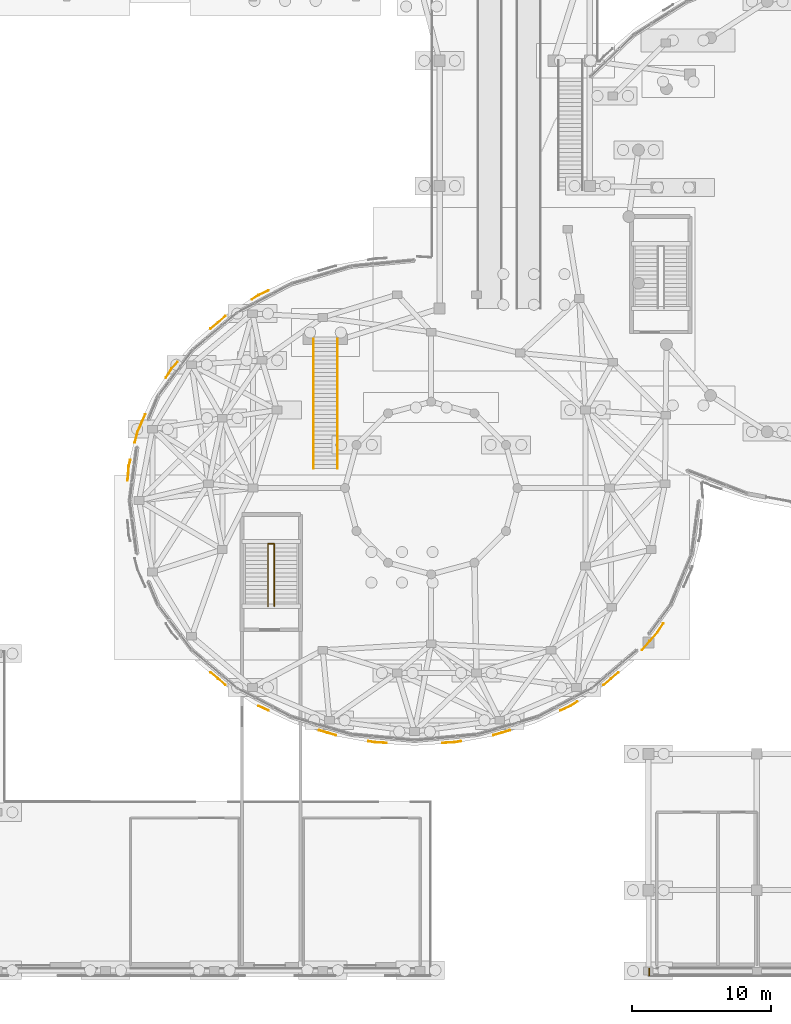
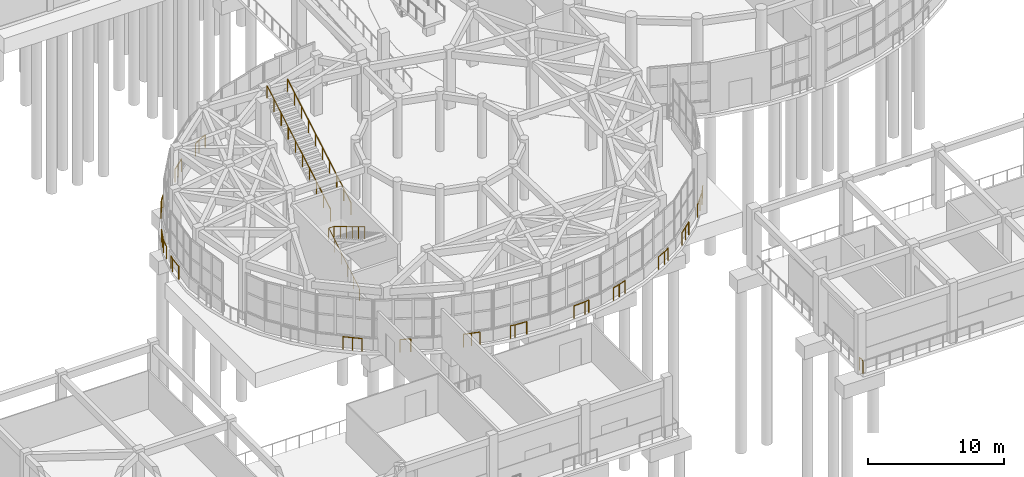
# One storey, part 83 of 96: 18 railings.
"""IFC4 building model written with IfcOpenShell, lengths in metres."""

from ifc_helpers import new_model, si_unit, direction, frame, origin, origin_2d, place, context, subcontext, project, spatial, circle, extrude, material, type_object, element, save


model = new_model("IFC4")

# Units and contexts
model_context = context("Model", 3, precision=1e-05, world=origin(), true_north=direction((0.0, 1.0)))
body_context = subcontext(model_context, "Body", "Model", "MODEL_VIEW")
ifc_project = project(units=[si_unit("LENGTHUNIT", "METRE"), si_unit("AREAUNIT", "SQUARE_METRE"), si_unit("VOLUMEUNIT", "CUBIC_METRE"), si_unit("PLANEANGLEUNIT", "RADIAN"), si_unit("MASSUNIT", "GRAM", prefix="KILO")], contexts=[model_context])

# Site, building, storey
site_placement = place(None, origin())
site = spatial("IfcSite", under=ifc_project, at=site_placement, CompositionType="ELEMENT")
building_placement = place(site_placement, origin())
building = spatial("IfcBuilding", under=site, at=building_placement, Name="Pelvatis Terrace Science Centre", CompositionType="ELEMENT")
storey_placement = place(building_placement, origin())
storey = spatial("IfcBuildingStorey", under=building, at=storey_placement, Name="L00", CompositionType="ELEMENT", Elevation=0.0)

# Railings
ifc_material_1 = material(Name="Bronze-anodised aluminium and laminated safety glass balustrade", Category="aluminium")
railing_type_1 = type_object("IfcRailingType", Name="RLG-BAL-1150", PredefinedType="BALUSTRADE", material=ifc_material_1)
railing_1_placement = place(storey_placement, frame((62.4599609375, 0.06005859375, 0.0)))
element("IfcRailing", 1, at=railing_1_placement, inside=storey, type_object=railing_type_1, Name="Perimeter edge balustrade RLG-EDG-L00-001", PredefinedType="BALUSTRADE", context=body_context, shape_type="SweptSolid", body=[
    extrude(circle(Radius=0.02392578125, at=origin_2d()), frame((0.0, 0.0, 1.1259765625), z_axis=(0.0, 1.0, 0.0), x_axis=(-1.0, 0.0, 0.0)), (0.0, 0.0, 1.0), 0.525146484375),
    extrude(circle(Radius=0.02099609375, at=origin_2d()), origin(), (0.0, 0.0, 1.0), 1.101806640625),
    extrude(circle(Radius=0.02099609375, at=origin_2d()), frame((0.0, 0.525146484375, 0.0)), (0.0, 0.0, 1.0), 1.101806640625),
])
railing_2_placement = place(storey_placement, frame((63.472412109375, 25.37548828125, 0.0)))
element("IfcRailing", 2, at=railing_2_placement, inside=storey, type_object=railing_type_1, Name="Perimeter edge balustrade RLG-EDG-L00-062", PredefinedType="BALUSTRADE", context=body_context, shape_type="SweptSolid", body=[
    extrude(circle(Radius=0.02392578125, at=origin_2d()), frame((0.0, 0.0, 1.1259765625), z_axis=(-0.542119728067, -0.840301255765, 0.0), x_axis=(0.840301255765, -0.542119728067, 0.0)), (0.0, 0.0, 1.0), 0.778564453125),
    extrude(circle(Radius=0.02392578125, at=origin_2d()), frame((-0.422119140625, -0.654296875, 1.1259765625), z_axis=(-0.662627546893, -0.748949086453, 0.0), x_axis=(0.748949086453, -0.662627546893, 0.0)), (0.0, 0.0, 1.0), 1.668701171875),
    extrude(circle(Radius=0.02099609375, at=origin_2d()), origin(), (0.0, 0.0, 1.0), 1.101806640625),
    extrude(circle(Radius=0.02099609375, at=origin_2d()), frame((-0.422119140625, -0.654296875, 0.0)), (0.0, 0.0, 1.0), 1.101806640625),
    extrude(circle(Radius=0.02099609375, at=origin_2d()), frame((-0.97509765625, -1.279296875, 0.0)), (0.0, 0.0, 1.0), 1.101806640625),
    extrude(circle(Radius=0.02099609375, at=origin_2d()), frame((-1.52783203125, -1.904052734375, 0.0)), (0.0, 0.0, 1.0), 1.101806640625),
])
railing_3_placement = place(storey_placement, frame((60.2578125, 21.8544921875, 0.0)))
element("IfcRailing", 3, at=railing_3_placement, inside=storey, type_object=railing_type_1, Name="Perimeter edge balustrade RLG-EDG-L00-063", PredefinedType="BALUSTRADE", context=body_context, shape_type="SweptSolid", body=[
    extrude(circle(Radius=0.02392578125, at=origin_2d()), frame((0.0, 0.0, 1.1259765625), z_axis=(-0.764460872307, -0.644670128602, 0.0), x_axis=(0.644670128602, -0.764460872307, 0.0)), (0.0, 0.0, 1.0), 1.42041015625),
    extrude(circle(Radius=0.02099609375, at=origin_2d()), origin(), (0.0, 0.0, 1.0), 1.101806640625),
    extrude(circle(Radius=0.02099609375, at=origin_2d()), frame((-0.54296875, -0.4580078125, 0.0)), (0.0, 0.0, 1.0), 1.101806640625),
    extrude(circle(Radius=0.02099609375, at=origin_2d()), frame((-1.0859375, -0.915771484375, 0.0)), (0.0, 0.0, 1.0), 1.101806640625),
])
railing_4_placement = place(storey_placement, frame((57.29150390625, 19.74755859375, 0.0)))
element("IfcRailing", 4, at=railing_4_placement, inside=storey, type_object=railing_type_1, Name="Perimeter edge balustrade RLG-EDG-L00-064", PredefinedType="BALUSTRADE", context=body_context, shape_type="SweptSolid", body=[
    extrude(circle(Radius=0.02392578125, at=origin_2d()), frame((0.0, 0.0, 1.1259765625), z_axis=(-0.844910650318, -0.534907462072, 0.0), x_axis=(0.534907462072, -0.844910650318, 0.0)), (0.0, 0.0, 1.0), 0.562255859375),
    extrude(circle(Radius=0.02392578125, at=origin_2d()), frame((-0.47509765625, -0.30078125, 1.1259765625), z_axis=(-0.907689850564, -0.419641674745, 0.0), x_axis=(0.419641674745, -0.907689850564, 0.0)), (0.0, 0.0, 1.0), 0.7958984375),
    extrude(circle(Radius=0.02099609375, at=origin_2d()), origin(), (0.0, 0.0, 1.0), 1.101806640625),
    extrude(circle(Radius=0.02099609375, at=origin_2d()), frame((-0.47509765625, -0.30078125, 0.0)), (0.0, 0.0, 1.0), 1.101806640625),
    extrude(circle(Radius=0.02099609375, at=origin_2d()), frame((-1.197509765625, -0.634765625, 0.0)), (0.0, 0.0, 1.0), 1.101806640625),
])
railing_5_placement = place(storey_placement, frame((52.458984375, 17.691162109375, 0.0)))
element("IfcRailing", 5, at=railing_5_placement, inside=storey, type_object=railing_type_1, Name="Perimeter edge balustrade RLG-EDG-L00-065", PredefinedType="BALUSTRADE", context=body_context, shape_type="SweptSolid", body=[
    extrude(circle(Radius=0.02392578125, at=origin_2d()), frame((0.0, 0.0, 1.1259765625), z_axis=(-0.959094784352, -0.283085136716, 0.0), x_axis=(0.283085136716, -0.959094784352, 0.0)), (0.0, 0.0, 1.0), 1.25146484375),
    extrude(circle(Radius=0.02099609375, at=origin_2d()), origin(), (0.0, 0.0, 1.0), 1.101806640625),
    extrude(circle(Radius=0.02099609375, at=origin_2d()), frame((-0.60009765625, -0.17724609375, 0.0)), (0.0, 0.0, 1.0), 1.101806640625),
    extrude(circle(Radius=0.02099609375, at=origin_2d()), frame((-1.2001953125, -0.354248046875, 0.0)), (0.0, 0.0, 1.0), 1.101806640625),
])
railing_6_placement = place(storey_placement, frame((48.9208984375, 16.906494140625, 0.0)))
element("IfcRailing", 6, at=railing_6_placement, inside=storey, type_object=railing_type_1, Name="Perimeter edge balustrade RLG-EDG-L00-066", PredefinedType="BALUSTRADE", context=body_context, shape_type="SweptSolid", body=[
    extrude(circle(Radius=0.02392578125, at=origin_2d()), frame((0.0, 0.0, 1.1259765625), z_axis=(-0.983544801135, -0.180664396495, 0.0), x_axis=(0.180664396495, -0.983544801135, 0.0)), (0.0, 0.0, 1.0), 0.374267578125),
    extrude(circle(Radius=0.02392578125, at=origin_2d()), frame((-0.3681640625, -0.067626953125, 1.1259765625), z_axis=(-0.998175541925, -0.060378700734, 0.0), x_axis=(0.060378700734, -0.998175541925, 0.0)), (0.0, 0.0, 1.0), 0.9501953125),
    extrude(circle(Radius=0.02099609375, at=origin_2d()), origin(), (0.0, 0.0, 1.0), 1.101806640625),
    extrude(circle(Radius=0.02099609375, at=origin_2d()), frame((-0.3681640625, -0.067626953125, 0.0)), (0.0, 0.0, 1.0), 1.101806640625),
    extrude(circle(Radius=0.02099609375, at=origin_2d()), frame((-1.316650390625, -0.125, 0.0)), (0.0, 0.0, 1.0), 1.101806640625),
])
railing_7_placement = place(storey_placement, frame((43.595703125, 16.781494140625, 0.0)))
element("IfcRailing", 7, at=railing_7_placement, inside=storey, type_object=railing_type_1, Name="Perimeter edge balustrade RLG-EDG-L00-067", PredefinedType="BALUSTRADE", context=body_context, shape_type="SweptSolid", body=[
    extrude(circle(Radius=0.02392578125, at=origin_2d()), frame((0.0, 0.0, 1.1259765625), z_axis=(-0.998175541925, 0.060378700734, 0.0), x_axis=(-0.060378700734, -0.998175541925, 0.0)), (0.0, 0.0, 1.0), 0.9501953125),
    extrude(circle(Radius=0.02392578125, at=origin_2d()), frame((-0.948486328125, 0.057373046875, 1.1259765625), z_axis=(-0.983523492482, 0.18078036325, 0.0), x_axis=(-0.18078036325, -0.983523492482, 0.0)), (0.0, 0.0, 1.0), 0.3740234375),
    extrude(circle(Radius=0.02099609375, at=origin_2d()), origin(), (0.0, 0.0, 1.0), 1.101806640625),
    extrude(circle(Radius=0.02099609375, at=origin_2d()), frame((-0.948486328125, 0.057373046875, 0.0)), (0.0, 0.0, 1.0), 1.101806640625),
    extrude(circle(Radius=0.02099609375, at=origin_2d()), frame((-1.31640625, 0.125, 0.0)), (0.0, 0.0, 1.0), 1.101806640625),
])
railing_8_placement = place(storey_placement, frame((39.941162109375, 17.3369140625, 0.0)))
element("IfcRailing", 8, at=railing_8_placement, inside=storey, type_object=railing_type_1, Name="Perimeter edge balustrade RLG-EDG-L00-068", PredefinedType="BALUSTRADE", context=body_context, shape_type="SweptSolid", body=[
    extrude(circle(Radius=0.02392578125, at=origin_2d()), frame((0.0, 0.0, 1.1259765625), z_axis=(-0.95907914547, 0.283138115987, 0.0), x_axis=(-0.283138115987, -0.95907914547, 0.0)), (0.0, 0.0, 1.0), 1.251220703125),
    extrude(circle(Radius=0.02099609375, at=origin_2d()), origin(), (0.0, 0.0, 1.0), 1.101806640625),
    extrude(circle(Radius=0.02099609375, at=origin_2d()), frame((-0.60009765625, 0.17724609375, 0.0)), (0.0, 0.0, 1.0), 1.101806640625),
    extrude(circle(Radius=0.02099609375, at=origin_2d()), frame((-1.199951171875, 0.354248046875, 0.0)), (0.0, 0.0, 1.0), 1.101806640625),
])
railing_9_placement = place(storey_placement, frame((35.10595703125, 19.11279296875, 0.0)))
element("IfcRailing", 9, at=railing_9_placement, inside=storey, type_object=railing_type_1, Name="Perimeter edge balustrade RLG-EDG-L00-069", PredefinedType="BALUSTRADE", context=body_context, shape_type="SweptSolid", body=[
    extrude(circle(Radius=0.02392578125, at=origin_2d()), frame((0.0, 0.0, 1.1259765625), z_axis=(-0.907692799948, 0.419635295135, 0.0), x_axis=(-0.419635295135, -0.907692799948, 0.0)), (0.0, 0.0, 1.0), 0.77783203125),
    extrude(circle(Radius=0.02099609375, at=origin_2d()), origin(), (0.0, 0.0, 1.0), 1.101806640625),
    extrude(circle(Radius=0.02099609375, at=origin_2d()), frame((-0.7060546875, 0.326416015625, 0.0)), (0.0, 0.0, 1.0), 1.101806640625),
])
railing_10_placement = place(storey_placement, frame((32.028076171875, 20.938720703125, 0.0)))
element("IfcRailing", 10, at=railing_10_placement, inside=storey, type_object=railing_type_1, Name="Perimeter edge balustrade RLG-EDG-L00-070", PredefinedType="BALUSTRADE", context=body_context, shape_type="SweptSolid", body=[
    extrude(circle(Radius=0.02392578125, at=origin_2d()), frame((0.0, 0.0, 1.1259765625), z_axis=(-0.764460872307, 0.644670128602, 0.0), x_axis=(-0.644670128602, -0.764460872307, 0.0)), (0.0, 0.0, 1.0), 1.42041015625),
    extrude(circle(Radius=0.02099609375, at=origin_2d()), origin(), (0.0, 0.0, 1.0), 1.101806640625),
    extrude(circle(Radius=0.02099609375, at=origin_2d()), frame((-0.54296875, 0.4580078125, 0.0)), (0.0, 0.0, 1.0), 1.101806640625),
    extrude(circle(Radius=0.02099609375, at=origin_2d()), frame((-1.0859375, 0.915771484375, 0.0)), (0.0, 0.0, 1.0), 1.101806640625),
])
railing_11_placement = place(storey_placement, frame((24.982421875, 35.645263671875, 0.0)))
element("IfcRailing", 11, at=railing_11_placement, inside=storey, type_object=railing_type_1, Name="Perimeter edge balustrade RLG-EDG-L00-074", PredefinedType="BALUSTRADE", context=body_context, shape_type="SweptSolid", body=[
    extrude(circle(Radius=0.02392578125, at=origin_2d()), frame((0.0, 0.0, 1.1259765625), z_axis=(0.084158264632, 0.996452400516, 0.0), x_axis=(-0.996452400516, 0.084158264632, 0.0)), (0.0, 0.0, 1.0), 1.052978515625),
    extrude(circle(Radius=0.02392578125, at=origin_2d()), frame((0.088623046875, 1.04931640625, 1.1259765625), z_axis=(0.249071449539, 0.968485112443, 0.0), x_axis=(-0.968485112443, 0.249071449539, 0.0)), (0.0, 0.0, 1.0), 0.430419921875),
    extrude(circle(Radius=0.02099609375, at=origin_2d()), origin(), (0.0, 0.0, 1.0), 1.101806640625),
    extrude(circle(Radius=0.02099609375, at=origin_2d()), frame((0.088623046875, 1.04931640625, 0.0)), (0.0, 0.0, 1.0), 1.101806640625),
    extrude(circle(Radius=0.02099609375, at=origin_2d()), frame((0.19580078125, 1.466064453125, 0.0)), (0.0, 0.0, 1.0), 1.101806640625),
])
railing_12_placement = place(storey_placement, frame((25.498046875, 38.35546875, 0.0)))
element("IfcRailing", 12, at=railing_12_placement, inside=storey, type_object=railing_type_1, Name="Perimeter edge balustrade RLG-EDG-L00-075", PredefinedType="BALUSTRADE", context=body_context, shape_type="SweptSolid", body=[
    extrude(circle(Radius=0.02392578125, at=origin_2d()), frame((0.0, 0.0, 1.1259765625), z_axis=(0.248992509704, 0.968505410471, 0.0), x_axis=(-0.968505410471, 0.248992509704, 0.0)), (0.0, 0.0, 1.0), 0.808837890625),
    extrude(circle(Radius=0.02392578125, at=origin_2d()), frame((0.201416015625, 0.783447265625, 1.1259765625), z_axis=(0.403434726574, 0.915008426953, 0.0), x_axis=(-0.915008426953, 0.403434726574, 0.0)), (0.0, 0.0, 1.0), 1.375),
    extrude(circle(Radius=0.02099609375, at=origin_2d()), origin(), (0.0, 0.0, 1.0), 1.101806640625),
    extrude(circle(Radius=0.02099609375, at=origin_2d()), frame((0.201416015625, 0.783447265625, 0.0)), (0.0, 0.0, 1.0), 1.101806640625),
    extrude(circle(Radius=0.02099609375, at=origin_2d()), frame((0.478759765625, 1.41259765625, 0.0)), (0.0, 0.0, 1.0), 1.101806640625),
    extrude(circle(Radius=0.02099609375, at=origin_2d()), frame((0.756103515625, 2.04150390625, 0.0)), (0.0, 0.0, 1.0), 1.101806640625),
])
railing_13_placement = place(storey_placement, frame((27.727294921875, 43.0244140625, 0.0)))
element("IfcRailing", 13, at=railing_13_placement, inside=storey, type_object=railing_type_1, Name="Perimeter edge balustrade RLG-EDG-L00-076", PredefinedType="BALUSTRADE", context=body_context, shape_type="SweptSolid", body=[
    extrude(circle(Radius=0.02392578125, at=origin_2d()), frame((0.0, 0.0, 1.1259765625), z_axis=(0.542419471517, 0.840107800773, 0.0), x_axis=(-0.840107800773, 0.542419471517, 0.0)), (0.0, 0.0, 1.0), 0.779052734375),
    extrude(circle(Radius=0.02392578125, at=origin_2d()), frame((0.422607421875, 0.654541015625, 1.1259765625), z_axis=(0.662658481676, 0.748921715977, 0.0), x_axis=(-0.748921715977, 0.662658481676, 0.0)), (0.0, 0.0, 1.0), 0.62255859375),
    extrude(circle(Radius=0.02099609375, at=origin_2d()), origin(), (0.0, 0.0, 1.0), 1.101806640625),
    extrude(circle(Radius=0.02099609375, at=origin_2d()), frame((0.422607421875, 0.654541015625, 0.0)), (0.0, 0.0, 1.0), 1.101806640625),
    extrude(circle(Radius=0.02099609375, at=origin_2d()), frame((0.835205078125, 1.120849609375, 0.0)), (0.0, 0.0, 1.0), 1.101806640625),
])
railing_14_placement = place(storey_placement, frame((30.942138671875, 46.54541015625, 0.0)))
element("IfcRailing", 14, at=railing_14_placement, inside=storey, type_object=railing_type_1, Name="Perimeter edge balustrade RLG-EDG-L00-077", PredefinedType="BALUSTRADE", context=body_context, shape_type="SweptSolid", body=[
    extrude(circle(Radius=0.02392578125, at=origin_2d()), frame((0.0, 0.0, 1.1259765625), z_axis=(0.764460872307, 0.644670128602, 0.0), x_axis=(-0.644670128602, 0.764460872307, 0.0)), (0.0, 0.0, 1.0), 1.42041015625),
    extrude(circle(Radius=0.02099609375, at=origin_2d()), origin(), (0.0, 0.0, 1.0), 1.101806640625),
    extrude(circle(Radius=0.02099609375, at=origin_2d()), frame((0.54296875, 0.4580078125, 0.0)), (0.0, 0.0, 1.0), 1.101806640625),
    extrude(circle(Radius=0.02099609375, at=origin_2d()), frame((1.0859375, 0.915771484375, 0.0)), (0.0, 0.0, 1.0), 1.101806640625),
])
railing_15_placement = place(storey_placement, frame((33.908447265625, 48.65234375, 0.0)))
element("IfcRailing", 15, at=railing_15_placement, inside=storey, type_object=railing_type_1, Name="Perimeter edge balustrade RLG-EDG-L00-078", PredefinedType="BALUSTRADE", context=body_context, shape_type="SweptSolid", body=[
    extrude(circle(Radius=0.02392578125, at=origin_2d()), frame((0.0, 0.0, 1.1259765625), z_axis=(0.844714412689, 0.535217302593, 0.0), x_axis=(-0.535217302593, 0.844714412689, 0.0)), (0.0, 0.0, 1.0), 0.5625),
    extrude(circle(Radius=0.02392578125, at=origin_2d()), frame((0.47509765625, 0.301025390625, 1.1259765625), z_axis=(0.907806674997, 0.419388889733, 0.0), x_axis=(-0.419388889733, 0.907806674997, 0.0)), (0.0, 0.0, 1.0), 0.7958984375),
    extrude(circle(Radius=0.02099609375, at=origin_2d()), origin(), (0.0, 0.0, 1.0), 1.101806640625),
    extrude(circle(Radius=0.02099609375, at=origin_2d()), frame((0.47509765625, 0.301025390625, 0.0)), (0.0, 0.0, 1.0), 1.101806640625),
    extrude(circle(Radius=0.02099609375, at=origin_2d()), frame((1.197509765625, 0.634765625, 0.0)), (0.0, 0.0, 1.0), 1.101806640625),
])
ifc_material_2 = material(Name="Brushed architectural bronze tubular railing", Category="steel")
railing_type_2 = type_object("IfcRailingType", Name="RLG-GRD-1120", PredefinedType="GUARDRAIL", material=ifc_material_2)
railing_16_placement = place(storey_placement, frame((35.080078125, 26.60009765625, 0.0)))
element("IfcRailing", 16, at=railing_16_placement, inside=storey, type_object=railing_type_2, Name="Stair ST-08-L00 inner well guard", PredefinedType="GUARDRAIL", context=body_context, shape_type="SweptSolid", body=[
    extrude(circle(Radius=0.02392578125, at=origin_2d()), frame((0.0, 0.0, 1.09619140625), z_axis=(0.0, 0.857497030584, 0.514488913912), x_axis=(-1.0, 0.0, 0.0)), (0.0, 0.0, 1.0), 5.247802734375),
    extrude(circle(Radius=0.02392578125, at=origin_2d()), frame((0.0, 4.5, 3.7958984375), z_axis=(1.0, 0.0, 0.0), x_axis=(0.0, 1.0, 0.0)), (0.0, 0.0, 1.0), 0.43994140625),
    extrude(circle(Radius=0.02392578125, at=origin_2d()), frame((0.43994140625, 4.5, 3.7958984375), z_axis=(0.0, -0.857497030584, 0.514488913912), x_axis=(1.0, 0.0, 0.0)), (0.0, 0.0, 1.0), 5.247802734375),
    extrude(circle(Radius=0.02099609375, at=origin_2d()), origin(), (0.0, 0.0, 1.0), 1.072021484375),
    extrude(circle(Radius=0.02099609375, at=origin_2d()), frame((0.0, 0.89990234375, 0.5400390625)), (0.0, 0.0, 1.0), 1.072021484375),
    extrude(circle(Radius=0.02099609375, at=origin_2d()), frame((0.0, 1.800048828125, 1.080078125)), (0.0, 0.0, 1.0), 1.072021484375),
    extrude(circle(Radius=0.02099609375, at=origin_2d()), frame((0.0, 2.699951171875, 1.619873046875)), (0.0, 0.0, 1.0), 1.072021484375),
    extrude(circle(Radius=0.02099609375, at=origin_2d()), frame((0.0, 3.60009765625, 2.159912109375)), (0.0, 0.0, 1.0), 1.072021484375),
    extrude(circle(Radius=0.02099609375, at=origin_2d()), frame((0.0, 4.5, 2.699951171875)), (0.0, 0.0, 1.0), 1.072021484375),
    extrude(circle(Radius=0.02099609375, at=origin_2d()), frame((0.43994140625, 4.5, 2.699951171875)), (0.0, 0.0, 1.0), 1.072021484375),
    extrude(circle(Radius=0.02099609375, at=origin_2d()), frame((0.43994140625, 3.60009765625, 3.239990234375)), (0.0, 0.0, 1.0), 1.072021484375),
    extrude(circle(Radius=0.02099609375, at=origin_2d()), frame((0.43994140625, 2.699951171875, 3.780029296875)), (0.0, 0.0, 1.0), 1.072021484375),
    extrude(circle(Radius=0.02099609375, at=origin_2d()), frame((0.43994140625, 1.800048828125, 4.31982421875)), (0.0, 0.0, 1.0), 1.072021484375),
    extrude(circle(Radius=0.02099609375, at=origin_2d()), frame((0.43994140625, 0.89990234375, 4.85986328125)), (0.0, 0.0, 1.0), 1.072021484375),
    extrude(circle(Radius=0.02099609375, at=origin_2d()), frame((0.43994140625, 0.0, 5.39990234375)), (0.0, 0.0, 1.0), 1.072021484375),
])
for number, where, name in (
    (17, (38.340087890625, 36.5, 0.0), "Stair FST-01 flight guard L"),
    (18, (40.06005859375, 36.5, 0.0), "Stair FST-01 flight guard R"),
):
    element("IfcRailing", number, at=place(storey_placement, frame(where)), inside=storey, type_object=railing_type_2, Name=name, PredefinedType="GUARDRAIL", context=body_context, shape_type="SweptSolid", body=[
        extrude(circle(Radius=0.02392578125, at=origin_2d()), frame((0.0, 0.0, 1.09619140625), z_axis=(0.0, 0.86479403468, 0.502126754497), x_axis=(-1.0, 0.0, 0.0)), (0.0, 0.0, 1.0), 10.754150390625),
        extrude(circle(Radius=0.02099609375, at=origin_2d()), origin(), (0.0, 0.0, 1.0), 1.072021484375),
        extrude(circle(Radius=0.02099609375, at=origin_2d()), frame((0.0, 1.033447265625, 0.60009765625)), (0.0, 0.0, 1.0), 1.072021484375),
        extrude(circle(Radius=0.02099609375, at=origin_2d()), frame((0.0, 2.066650390625, 1.199951171875)), (0.0, 0.0, 1.0), 1.072021484375),
        extrude(circle(Radius=0.02099609375, at=origin_2d()), frame((0.0, 3.10009765625, 1.800048828125)), (0.0, 0.0, 1.0), 1.072021484375),
        extrude(circle(Radius=0.02099609375, at=origin_2d()), frame((0.0, 4.13330078125, 2.39990234375)), (0.0, 0.0, 1.0), 1.072021484375),
        extrude(circle(Radius=0.02099609375, at=origin_2d()), frame((0.0, 5.166748046875, 3.0)), (0.0, 0.0, 1.0), 1.072021484375),
        extrude(circle(Radius=0.02099609375, at=origin_2d()), frame((0.0, 6.199951171875, 3.599853515625)), (0.0, 0.0, 1.0), 1.072021484375),
        extrude(circle(Radius=0.02099609375, at=origin_2d()), frame((0.0, 7.2333984375, 4.199951171875)), (0.0, 0.0, 1.0), 1.072021484375),
        extrude(circle(Radius=0.02099609375, at=origin_2d()), frame((0.0, 8.2666015625, 4.7998046875)), (0.0, 0.0, 1.0), 1.072021484375),
        extrude(circle(Radius=0.02099609375, at=origin_2d()), frame((0.0, 9.300048828125, 5.39990234375)), (0.0, 0.0, 1.0), 1.072021484375),
    ])

save(model, "model.ifc")
